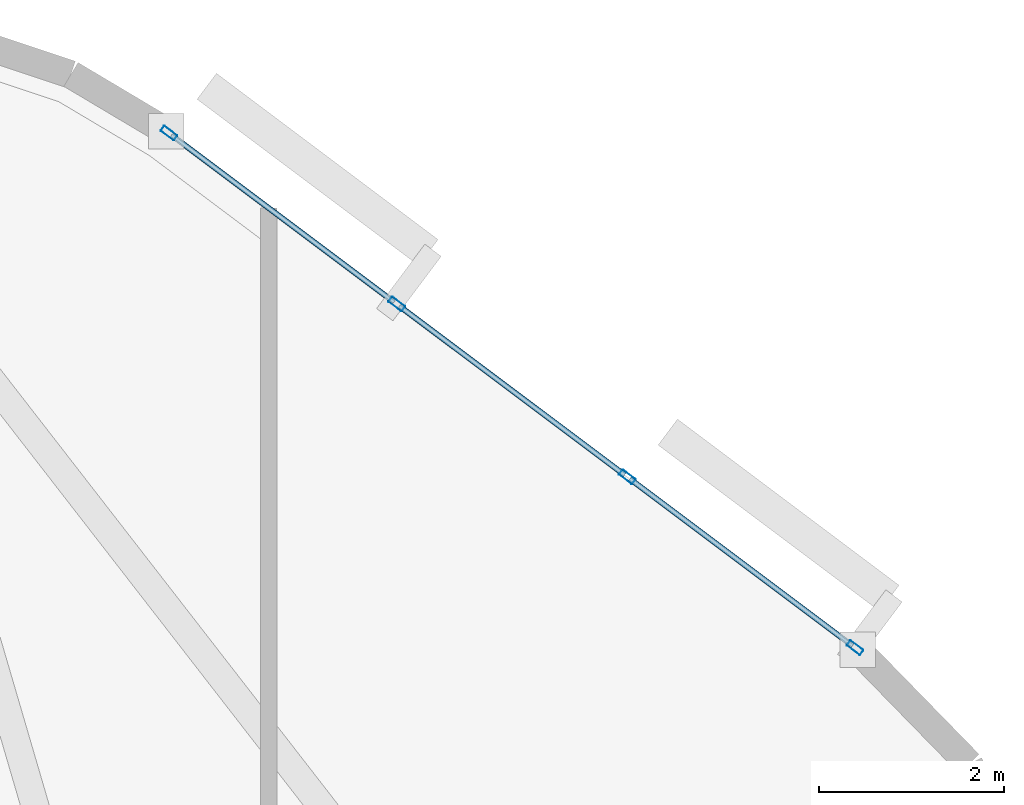
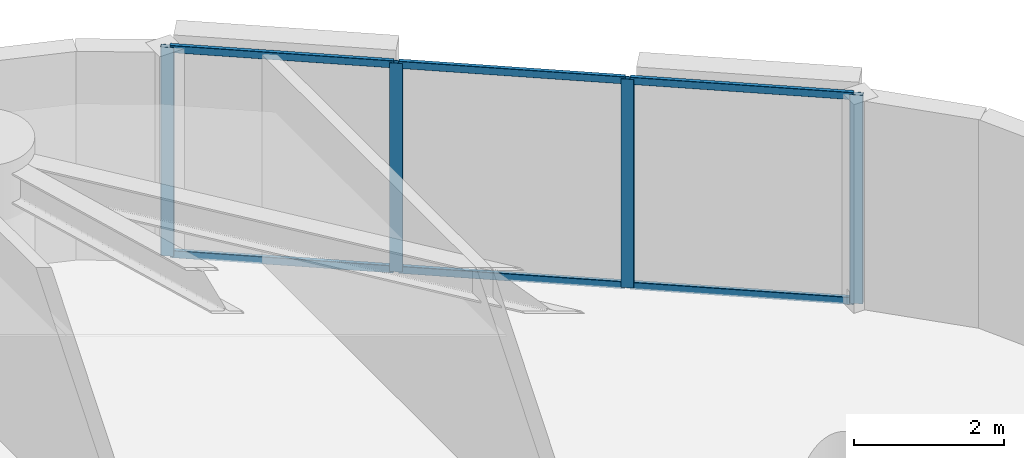
# One storey, part 6 of 14: 10 members, 1 element without a shape of its own.
"""IFC4 building model written with IfcOpenShell, lengths in metres."""

import ifcopenshell
import ifcopenshell.guid

model = None  # the IFC model being written
_history = None  # IfcOwnerHistory: only IFC2X3 demands one
_inside = {}  # id of a spatial element -> (the spatial element, [elements in it])
_under = {}  # id of a project, library or spatial element -> (it, [spatial elements below it])
_declared = {}  # id of a project -> (the project, [libraries it declares])
_typed = {}  # id of a type object -> (the type object, [elements of that type])
_made_of = {}  # id of a material, layer set ... -> (it, [elements and type objects made of it])


def new_model(schema):
    """Start an empty IFC model of exactly this schema.

    Asked for "IFC4X3", IfcOpenShell would pick the latest addendum, in which some entities
    have other attributes; the version numbers below select the first issue.
    IFC2X3 requires an IfcOwnerHistory on every rooted entity: one is made here for all.
    """
    global model, _history
    if schema == "IFC4X3":
        model = ifcopenshell.file(schema_version=(4, 3, 0, 0))
    else:
        model = ifcopenshell.file(schema=schema)
    _inside.clear()
    _under.clear()
    _declared.clear()
    _typed.clear()
    _made_of.clear()
    _history = None
    if model.schema == "IFC2X3":
        org = make("IfcOrganization", Name="unknown")
        user = make(
            "IfcPersonAndOrganization",
            ThePerson=make("IfcPerson", FamilyName="unknown"),
            TheOrganization=org,
        )
        app = make(
            "IfcApplication",
            ApplicationDeveloper=org,
            Version="unknown",
            ApplicationFullName="unknown",
            ApplicationIdentifier="unknown",
        )
        _history = make(
            "IfcOwnerHistory",
            OwningUser=user,
            OwningApplication=app,
            ChangeAction="ADDED",
            CreationDate=0,
        )
    return model


def make(cls, **values):
    """One entity of the class cls with the attributes given. An attribute that is None is left unset."""
    return model.create_entity(
        cls, **{name: value for name, value in values.items() if value is not None}
    )


def rooted(cls, **values):
    """An entity with a GlobalId (a new one), such as an element, a storey or a relation."""
    return make(cls, GlobalId=ifcopenshell.guid.new(), OwnerHistory=_history, **values)


def si_unit(unit_type, name, prefix=None):
    """IfcSIUnit, for example si_unit("LENGTHUNIT", "METRE", prefix="MILLI")."""
    return make("IfcSIUnit", UnitType=unit_type, Prefix=prefix, Name=name)


def assignment(units):
    """IfcUnitAssignment: the units of a project."""
    return None if units is None else make("IfcUnitAssignment", Units=units)


def point(xyz):
    """IfcCartesianPoint."""
    return None if xyz is None else make("IfcCartesianPoint", Coordinates=xyz)


def direction(xyz):
    """IfcDirection."""
    return None if xyz is None else make("IfcDirection", DirectionRatios=xyz)


def frame(location, z_axis=None, x_axis=None):
    """IfcAxis2Placement3D, a coordinate frame: its origin and axes. An axis left out is left unset."""
    return make(
        "IfcAxis2Placement3D",
        Location=point(location),
        Axis=direction(z_axis),
        RefDirection=direction(x_axis),
    )


def frame_2d(location, x_axis=None):
    """IfcAxis2Placement2D, a coordinate frame in the plane: its origin and x axis."""
    return make(
        "IfcAxis2Placement2D", Location=point(location), RefDirection=direction(x_axis)
    )


def origin():
    """The frame at (0, 0, 0) with its axes left unset."""
    return frame((0.0, 0.0, 0.0))


def origin_2d():
    """The frame at (0, 0) in the plane with its x axis left unset."""
    return frame_2d((0.0, 0.0))


def place(relative_to, where):
    """IfcLocalPlacement: puts the frame where relative to a parent placement (None: the world)."""
    return make(
        "IfcLocalPlacement", PlacementRelTo=relative_to, RelativePlacement=where
    )


def context(
    kind, dimensions, precision=None, world=None, true_north=None, identifier=None
):
    """IfcGeometricRepresentationContext, for example the 3D "Model" context."""
    return make(
        "IfcGeometricRepresentationContext",
        ContextIdentifier=identifier,
        ContextType=kind,
        CoordinateSpaceDimension=dimensions,
        Precision=precision,
        WorldCoordinateSystem=world,
        TrueNorth=true_north,
    )


def subcontext(parent, identifier, kind, view, scale=None):
    """IfcGeometricRepresentationSubContext, for example "Body" below "Model"."""
    return make(
        "IfcGeometricRepresentationSubContext",
        ContextIdentifier=identifier,
        ContextType=kind,
        ParentContext=parent,
        TargetScale=scale,
        TargetView=view,
    )


def project(units=None, contexts=None):
    """IfcProject with its units and contexts."""
    return rooted(
        "IfcProject",
        Name="project",
        RepresentationContexts=contexts,
        UnitsInContext=assignment(units),
    )


def spatial(cls, under=None, at=None, **own):
    """A site, building, storey or space (cls), placed at a placement, below another one or the project."""
    s = rooted(cls, ObjectPlacement=at, **own)
    if under is not None:
        _under.setdefault(under.id(), (under, []))[1].append(s)
    return s


def profile(cls, at=None, kind="AREA", **sizes):
    """A parametric profile (cls). Its sizes go by their IFC names, for example OverallWidth=200.0."""
    return make(cls, ProfileType=kind, Position=at, **sizes)


def hollow_rectangle(**sizes):
    """IfcRectangleHollowProfileDef."""
    return profile("IfcRectangleHollowProfileDef", **sizes)


def extrude(swept, where, along, depth):
    """IfcExtrudedAreaSolid: the profile swept, set in the frame where, extruded along a direction by depth."""
    return make(
        "IfcExtrudedAreaSolid",
        SweptArea=swept,
        Position=where,
        ExtrudedDirection=direction(along),
        Depth=depth,
    )


def shape(context_of_items, identifier, shape_type, items):
    """IfcShapeRepresentation: the items that make up one representation, for example the "Body"."""
    return make(
        "IfcShapeRepresentation",
        ContextOfItems=context_of_items,
        RepresentationIdentifier=identifier,
        RepresentationType=shape_type,
        Items=items,
    )


def material(Name=None, Category=None):
    """IfcMaterial."""
    return make("IfcMaterial", Name=Name, Category=Category)


def layer(
    of_material, thickness, ventilated=None, Name=None, Category=None, Priority=None
):
    """IfcMaterialLayer: one layer of a wall or slab, of a material (None: an air gap)."""
    return make(
        "IfcMaterialLayer",
        Material=of_material,
        LayerThickness=thickness,
        IsVentilated=ventilated,
        Name=Name,
        Category=Category,
        Priority=Priority,
    )


def layer_set(layers, Name=None):
    """IfcMaterialLayerSet."""
    return make("IfcMaterialLayerSet", MaterialLayers=layers, LayerSetName=Name)


def material_profile(
    of_material, cross_section, Name=None, Category=None, Priority=None
):
    """IfcMaterialProfile: a cross section and its material."""
    return make(
        "IfcMaterialProfile",
        Name=Name,
        Material=of_material,
        Profile=cross_section,
        Priority=Priority,
        Category=Category,
    )


def profile_set(profiles, Name=None, composite=None):
    """IfcMaterialProfileSet."""
    return make(
        "IfcMaterialProfileSet",
        Name=Name,
        MaterialProfiles=profiles,
        CompositeProfile=composite,
    )


def made_of(thing, what):
    """Note that an element or type object is made of a material, layer set ...; save() writes the relation."""
    if what is not None:
        _made_of.setdefault(what.id(), (what, []))[1].append(thing)
    return thing


def type_object(cls, material=None, **own):
    """A type object (cls), such as IfcWallType, which elements share."""
    return made_of(rooted(cls, **own), material)


def element(
    cls,
    number,
    at=None,
    inside=None,
    cuts=None,
    type_object=None,
    material=None,
    context=None,
    identifier="Body",
    shape_type=None,
    held_by="IfcProductDefinitionShape",
    body=None,
    shapes=None,
    **own,
):
    """One element of the class cls, such as IfcWall. Its Tag is "e" and its number.

    at: its placement. inside: the storey or other place that contains it. cuts: it is an
    opening in that element (IfcRelVoidsElement). A single representation is given by context,
    identifier, shape_type and body (its items); several are given by shapes. held_by: the class
    of the entity that holds the representations. save() writes the other relations.
    """
    e = rooted(cls, Tag="e%d" % number, ObjectPlacement=at, **own)
    if body is not None:
        shapes = [shape(context, identifier, shape_type, body)]
    if shapes is not None:
        e.Representation = make(held_by, Representations=shapes)
    if inside is not None:
        _inside.setdefault(inside.id(), (inside, []))[1].append(e)
    if cuts is not None:
        rooted(
            "IfcRelVoidsElement", RelatingBuildingElement=cuts, RelatedOpeningElement=e
        )
    if type_object is not None:
        _typed.setdefault(type_object.id(), (type_object, []))[1].append(e)
    return made_of(e, material)


def aggregate(whole, parts):
    """IfcRelAggregates: a whole, such as a stair, and the parts it consists of."""
    return rooted("IfcRelAggregates", RelatingObject=whole, RelatedObjects=parts)


def save(model, path):
    """Write the relations noted so far, then the file.

    IfcRelAggregates (storeys below a building ...), IfcRelContainedInSpatialStructure (elements
    in a storey), IfcRelDefinesByType, IfcRelAssociatesMaterial and IfcRelDeclares: one each for
    every whole, place, type object, material and project.
    """
    for whole, parts in _under.values():
        aggregate(whole, parts)
    for where, things in _inside.values():
        rooted(
            "IfcRelContainedInSpatialStructure",
            RelatedElements=things,
            RelatingStructure=where,
        )
    for kind, things in _typed.values():
        rooted("IfcRelDefinesByType", RelatedObjects=things, RelatingType=kind)
    for what, things in _made_of.values():
        rooted("IfcRelAssociatesMaterial", RelatedObjects=things, RelatingMaterial=what)
    for by, libraries in _declared.values():
        rooted("IfcRelDeclares", RelatingContext=by, RelatedDefinitions=libraries)
    model.write(path)


model = new_model("IFC4")

# Units and contexts
model_context = context("Model", 3, precision=1e-05, world=origin(), true_north=direction((0.0, 1.0)))
body_context = subcontext(model_context, "Body", "Model", "MODEL_VIEW")
ifc_project = project(units=[si_unit("LENGTHUNIT", "METRE"), si_unit("AREAUNIT", "SQUARE_METRE"), si_unit("VOLUMEUNIT", "CUBIC_METRE"), si_unit("PLANEANGLEUNIT", "RADIAN"), si_unit("MASSUNIT", "GRAM", prefix="KILO")], contexts=[model_context])

# Site, building, storey
site_placement = place(None, origin())
site = spatial("IfcSite", under=ifc_project, at=site_placement, CompositionType="ELEMENT")
building_placement = place(site_placement, origin())
building = spatial("IfcBuilding", under=site, at=building_placement, Name="An Khanh Terracotta Commons", CompositionType="ELEMENT")
storey_placement = place(building_placement, frame((0.0, 0.0, 115.10009765625)))
storey = spatial("IfcBuildingStorey", under=building, at=storey_placement, Name="L30", CompositionType="ELEMENT", Elevation=115.10009765625)

# Curtain wall, members
ifc_material = material(Name="Anodised Aluminium 6063-T6", Category="aluminium")
ifc_layer = layer(ifc_material, 0.199951171875, Name="Anodised Aluminium 6063-T6")
ifc_layer_set = layer_set([ifc_layer], Name="Anodised Aluminium 6063-T6")
curtain_wall_type = type_object("IfcCurtainWallType", Name="CW-SYS-02", PredefinedType="USERDEFINED", material=ifc_layer_set)
curtain_wall_placement = place(storey_placement, origin())
curtain_wall = element("IfcCurtainWall", 1, at=curtain_wall_placement, inside=storey, type_object=curtain_wall_type, Name="L30 CW-02 Unitised Curtain Wall CW-L30-16", ObjectType="UNITISED CURTAIN WALL", PredefinedType="USERDEFINED")
ifc_material_profile_1 = material_profile(ifc_material, hollow_rectangle(XDim=0.070068359375, YDim=0.179931640625, WallThickness=0.00390625, InnerFilletRadius=0.00390625, OuterFilletRadius=0.008056640625, at=origin_2d()), Name="RHS180x70x4")
ifc_profile_set_1 = profile_set([ifc_material_profile_1], Name="Anodised Aluminium 6063-T6")
member_type_1 = type_object("IfcMemberType", Name="CWM-RHS180x70x4", PredefinedType="MULLION", material=ifc_profile_set_1)
member_1_placement = place(storey_placement, frame((55.132080078125, 37.10107421875, 0.0), z_axis=(0.0, 0.0, 1.0), x_axis=(-0.599982857492, -0.800012856594, 0.0)))
member_1 = element("IfcMember", 2, at=member_1_placement, type_object=member_type_1, Name="CW-02 mullion 1", PredefinedType="MULLION", context=body_context, shape_type="SweptSolid", body=[
    extrude(hollow_rectangle(XDim=0.070068359375, YDim=0.179931640625, WallThickness=0.00390625, InnerFilletRadius=0.00390625, OuterFilletRadius=0.008056640625, at=origin_2d()), origin(), (0.0, 0.0, 1.0), 3.39990234375),
])
member_2_placement = place(storey_placement, frame((52.6708984375, 38.94677734375, 0.0), z_axis=(0.0, 0.0, 1.0), x_axis=(-0.599982857492, -0.800012856594, 0.0)))
member_2 = element("IfcMember", 3, at=member_2_placement, type_object=member_type_1, Name="CW-02 mullion 2", PredefinedType="MULLION", context=body_context, shape_type="SweptSolid", body=[
    extrude(hollow_rectangle(XDim=0.070068359375, YDim=0.179931640625, WallThickness=0.00390625, InnerFilletRadius=0.00390625, OuterFilletRadius=0.008056640625, at=origin_2d()), origin(), (0.0, 0.0, 1.0), 3.39990234375),
])
member_3_placement = place(storey_placement, frame((50.181884765625, 40.813232421875, 0.0), z_axis=(0.0, 0.0, 1.0), x_axis=(-0.599982857492, -0.800012856594, 0.0)))
member_3 = element("IfcMember", 4, at=member_3_placement, type_object=member_type_1, Name="CW-02 mullion 3", PredefinedType="MULLION", context=body_context, shape_type="SweptSolid", body=[
    extrude(hollow_rectangle(XDim=0.070068359375, YDim=0.179931640625, WallThickness=0.00390625, InnerFilletRadius=0.00390625, OuterFilletRadius=0.008056640625, at=origin_2d()), origin(), (0.0, 0.0, 1.0), 3.39990234375),
])
member_4_placement = place(storey_placement, frame((47.720947265625, 42.658935546875, 0.0), z_axis=(0.0, 0.0, 1.0), x_axis=(-0.599982857492, -0.800012856594, 0.0)))
member_4 = element("IfcMember", 5, at=member_4_placement, type_object=member_type_1, Name="CW-02 mullion 4", PredefinedType="MULLION", context=body_context, shape_type="SweptSolid", body=[
    extrude(hollow_rectangle(XDim=0.070068359375, YDim=0.179931640625, WallThickness=0.00390625, InnerFilletRadius=0.00390625, OuterFilletRadius=0.008056640625, at=origin_2d()), origin(), (0.0, 0.0, 1.0), 3.39990234375),
])
ifc_material_profile_2 = material_profile(ifc_material, hollow_rectangle(XDim=0.06005859375, YDim=0.1201171875, WallThickness=0.003662109375, InnerFilletRadius=0.003662109375, OuterFilletRadius=0.007080078125, at=origin_2d()), Name="RHS120x60x3.6")
ifc_profile_set_2 = profile_set([ifc_material_profile_2], Name="Anodised Aluminium 6063-T6")
member_type_2 = type_object("IfcMemberType", Name="CWT-RHS120x60x3.6", PredefinedType="USERDEFINED", material=ifc_profile_set_2)
member_5_placement = place(storey_placement, frame((55.10400390625, 37.1220703125, 0.02978515625), z_axis=(-0.800009745217, 0.599987006158, 0.0), x_axis=(-0.599987006158, -0.800009745217, 0.0)))
member_5 = element("IfcMember", 6, at=member_5_placement, type_object=member_type_2, Name="CW-02 transom 1.1", ObjectType="TRANSOM", PredefinedType="USERDEFINED", context=body_context, shape_type="SweptSolid", body=[
    extrude(hollow_rectangle(XDim=0.06005859375, YDim=0.1201171875, WallThickness=0.003662109375, InnerFilletRadius=0.003662109375, OuterFilletRadius=0.007080078125, at=origin_2d()), origin(), (0.0, 0.0, 1.0), 3.00634765625),
])
member_6_placement = place(storey_placement, frame((55.10400390625, 37.1220703125, 3.369873046875), z_axis=(-0.800009745217, 0.599987006158, 0.0), x_axis=(-0.599987006158, -0.800009745217, 0.0)))
member_6 = element("IfcMember", 7, at=member_6_placement, type_object=member_type_2, Name="CW-02 transom 1.2", ObjectType="TRANSOM", PredefinedType="USERDEFINED", context=body_context, shape_type="SweptSolid", body=[
    extrude(hollow_rectangle(XDim=0.06005859375, YDim=0.1201171875, WallThickness=0.003662109375, InnerFilletRadius=0.003662109375, OuterFilletRadius=0.007080078125, at=origin_2d()), origin(), (0.0, 0.0, 1.0), 3.00634765625),
])
member_7_placement = place(storey_placement, frame((52.64306640625, 38.9677734375, 0.02978515625), z_axis=(-0.800057796972, 0.599922929638, 0.0), x_axis=(-0.599922929638, -0.800057796972, 0.0)))
member_7 = element("IfcMember", 8, at=member_7_placement, type_object=member_type_2, Name="CW-02 transom 2.1", ObjectType="TRANSOM", PredefinedType="USERDEFINED", context=body_context, shape_type="SweptSolid", body=[
    extrude(hollow_rectangle(XDim=0.06005859375, YDim=0.1201171875, WallThickness=0.003662109375, InnerFilletRadius=0.003662109375, OuterFilletRadius=0.007080078125, at=origin_2d()), origin(), (0.0, 0.0, 1.0), 3.041259765625),
])
member_8_placement = place(storey_placement, frame((52.64306640625, 38.9677734375, 3.369873046875), z_axis=(-0.800057796972, 0.599922929638, 0.0), x_axis=(-0.599922929638, -0.800057796972, 0.0)))
member_8 = element("IfcMember", 9, at=member_8_placement, type_object=member_type_2, Name="CW-02 transom 2.2", ObjectType="TRANSOM", PredefinedType="USERDEFINED", context=body_context, shape_type="SweptSolid", body=[
    extrude(hollow_rectangle(XDim=0.06005859375, YDim=0.1201171875, WallThickness=0.003662109375, InnerFilletRadius=0.003662109375, OuterFilletRadius=0.007080078125, at=origin_2d()), origin(), (0.0, 0.0, 1.0), 3.041259765625),
])
member_9_placement = place(storey_placement, frame((50.154052734375, 40.834228515625, 0.02978515625), z_axis=(-0.800009745217, 0.599987006158, 0.0), x_axis=(-0.599987006158, -0.800009745217, 0.0)))
member_9 = element("IfcMember", 10, at=member_9_placement, type_object=member_type_2, Name="CW-02 transom 3.1", ObjectType="TRANSOM", PredefinedType="USERDEFINED", context=body_context, shape_type="SweptSolid", body=[
    extrude(hollow_rectangle(XDim=0.06005859375, YDim=0.1201171875, WallThickness=0.003662109375, InnerFilletRadius=0.003662109375, OuterFilletRadius=0.007080078125, at=origin_2d()), origin(), (0.0, 0.0, 1.0), 3.00634765625),
])
member_10_placement = place(storey_placement, frame((50.154052734375, 40.834228515625, 3.369873046875), z_axis=(-0.800009745217, 0.599987006158, 0.0), x_axis=(-0.599987006158, -0.800009745217, 0.0)))
member_10 = element("IfcMember", 11, at=member_10_placement, type_object=member_type_2, Name="CW-02 transom 3.2", ObjectType="TRANSOM", PredefinedType="USERDEFINED", context=body_context, shape_type="SweptSolid", body=[
    extrude(hollow_rectangle(XDim=0.06005859375, YDim=0.1201171875, WallThickness=0.003662109375, InnerFilletRadius=0.003662109375, OuterFilletRadius=0.007080078125, at=origin_2d()), origin(), (0.0, 0.0, 1.0), 3.00634765625),
])
aggregate(curtain_wall, [member_1, member_2, member_3, member_4, member_5, member_6, member_7, member_8, member_9, member_10])

save(model, "model.ifc")
